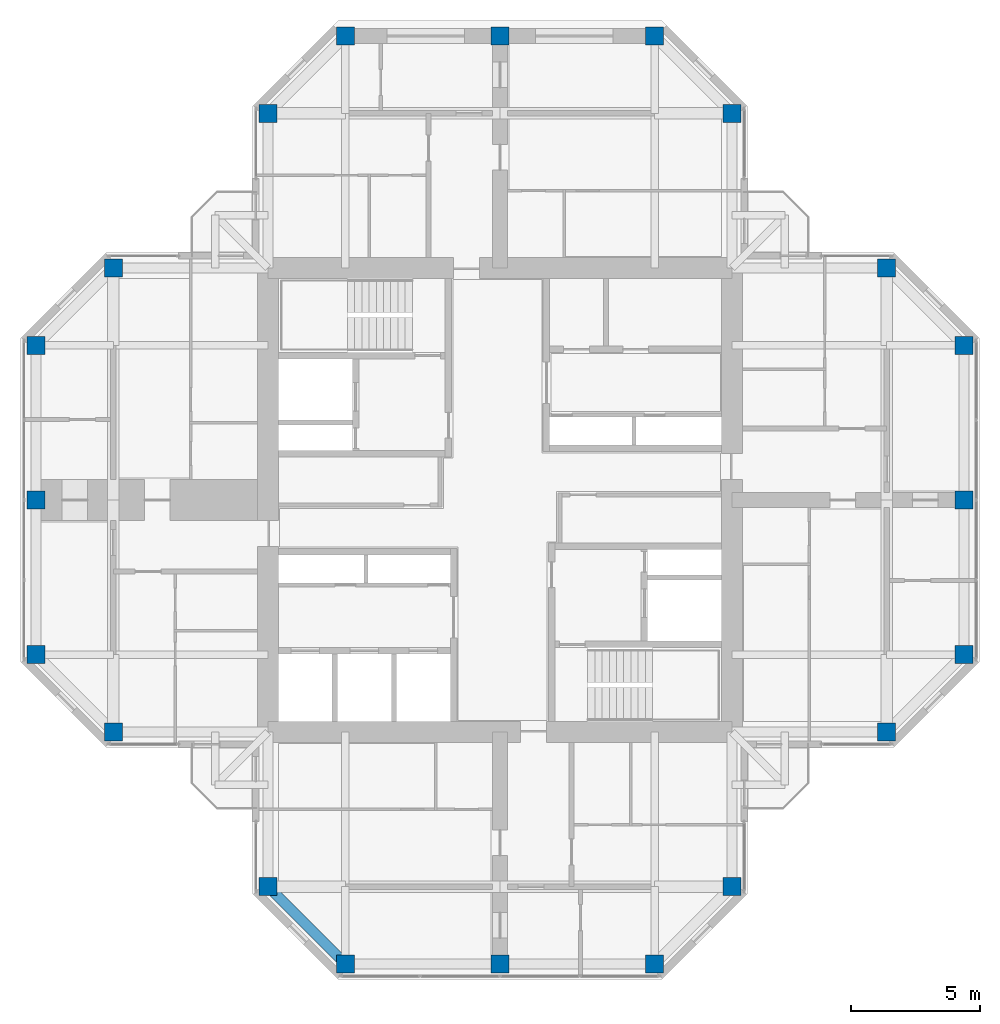
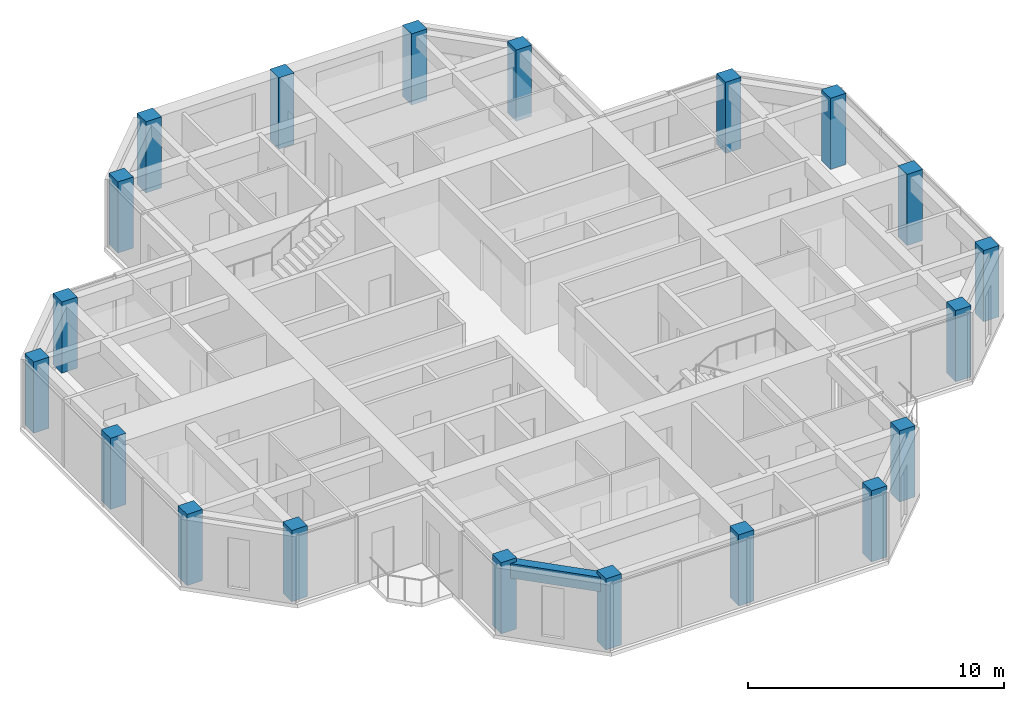
# One storey, part 1 of 13: 20 columns, 1 beam.
"""IFC4 building model written with IfcOpenShell, lengths in metres."""

from ifc_helpers import new_model, si_unit, direction, frame, origin, origin_2d, place, context, subcontext, project, spatial, rectangle, extrude, material, material_profile, profile_set, type_object, element, save


model = new_model("IFC4")

# Units and contexts
model_context = context("Model", 3, precision=1e-05, world=origin(), true_north=direction((0.0, 1.0)))
body_context = subcontext(model_context, "Body", "Model", "MODEL_VIEW")
ifc_project = project(units=[si_unit("LENGTHUNIT", "METRE"), si_unit("AREAUNIT", "SQUARE_METRE"), si_unit("VOLUMEUNIT", "CUBIC_METRE"), si_unit("PLANEANGLEUNIT", "RADIAN"), si_unit("MASSUNIT", "GRAM", prefix="KILO")], contexts=[model_context])

# Site, building, storey
site_placement = place(None, origin())
site = spatial("IfcSite", under=ifc_project, at=site_placement, CompositionType="ELEMENT")
building_placement = place(site_placement, origin())
building = spatial("IfcBuilding", under=site, at=building_placement, Name="Torre Cruceta", CompositionType="ELEMENT")
storey_placement = place(building_placement, frame((0.0, 0.0, 261.10009765625)))
storey = spatial("IfcBuildingStorey", under=building, at=storey_placement, Name="L67", CompositionType="ELEMENT", Elevation=261.10009765625)

# Columns
ifc_material_1 = material(Name="Concrete G60 (fck 60 MPa)", Category="concrete")
ifc_material_profile_1 = material_profile(ifc_material_1, rectangle(XDim=0.699951171875, YDim=0.699951171875, at=origin_2d()), Name="RC 700X700")
ifc_profile_set_1 = profile_set([ifc_material_profile_1], Name="Concrete G60 (fck 60 MPa)")
column_type = type_object("IfcColumnType", Name="COLUMN RC 700X700", PredefinedType="COLUMN", material=ifc_profile_set_1)
for number, where, z_axis, x_axis, name in (
    (1, (9.0, 15.0, 0.0), (0.0, 0.0, 1.0), (1.0, 0.0, 0.0), "C8 L67 N chamfer"),
    (2, (-9.0, 15.0, 0.0), (0.0, 0.0, 1.0), (1.0, 0.0, 0.0), "C8 L67 N chamfer"),
    (3, (6.0, 18.0, 0.0), (0.0, 0.0, 1.0), (1.0, 0.0, 0.0), "C8 L67 N tip"),
    (4, (0.0, 18.0, 0.0), (0.0, 0.0, 1.0), (1.0, 0.0, 0.0), "C8 L67 N tip"),
    (5, (-6.0, 18.0, 0.0), (0.0, 0.0, 1.0), (1.0, 0.0, 0.0), "C8 L67 N tip"),
    (6, (15.0, -9.0, 0.0), (0.0, 0.0, 1.0), (1.0, 0.0, 0.0), "C8 L67 E chamfer"),
    (7, (15.0, 9.0, 0.0), (0.0, 0.0, 1.0), (1.0, 0.0, 0.0), "C8 L67 E chamfer"),
    (8, (18.0, -6.0, 0.0), (0.0, 0.0, 1.0), (1.0, 0.0, 0.0), "C8 L67 E tip"),
    (9, (18.0, 0.0, 0.0), (0.0, 0.0, 1.0), (1.0, 0.0, 0.0), "C8 L67 E tip"),
    (10, (18.0, 6.0, 0.0), (0.0, 0.0, 1.0), (1.0, 0.0, 0.0), "C8 L67 E tip"),
    (11, (-9.0, -15.0, 0.0), (0.0, 0.0, 1.0), (1.0, 0.0, 0.0), "C8 L67 S chamfer"),
    (12, (9.0, -15.0, 0.0), (0.0, 0.0, 1.0), (1.0, 0.0, 0.0), "C8 L67 S chamfer"),
    (13, (-6.0, -18.0, 0.0), (0.0, 0.0, 1.0), (1.0, 0.0, 0.0), "C8 L67 S tip"),
    (14, (0.0, -18.0, 0.0), (0.0, 0.0, 1.0), (1.0, 0.0, 0.0), "C8 L67 S tip"),
    (15, (6.0, -18.0, 0.0), (0.0, 0.0, 1.0), (1.0, 0.0, 0.0), "C8 L67 S tip"),
    (16, (-15.0, 9.0, 0.0), (0.0, 0.0, 1.0), (1.0, 0.0, 0.0), "C8 L67 W chamfer"),
    (17, (-15.0, -9.0, 0.0), (0.0, 0.0, 1.0), (1.0, 0.0, 0.0), "C8 L67 W chamfer"),
    (18, (-18.0, 6.0, 0.0), (0.0, 0.0, 1.0), (1.0, 0.0, 0.0), "C8 L67 W tip"),
    (19, (-18.0, 0.0, 0.0), (0.0, 0.0, 1.0), (1.0, 0.0, 0.0), "C8 L67 W tip"),
    (20, (-18.0, -6.0, 0.0), (0.0, 0.0, 1.0), (1.0, 0.0, 0.0), "C8 L67 W tip"),
):
    element("IfcColumn", number, at=place(storey_placement, frame(where, z_axis=z_axis, x_axis=x_axis)), inside=storey, type_object=column_type, Name=name, PredefinedType="COLUMN", context=body_context, shape_type="SweptSolid", body=[
        extrude(rectangle(XDim=0.699951171875, YDim=0.699951171875, at=origin_2d()), origin(), (0.0, 0.0, 1.0), 3.39990234375),
    ])

# Beam
ifc_material_2 = material(Name="Concrete G60 (fck 60 MPa)", Category="concrete")
ifc_material_profile_2 = material_profile(ifc_material_2, rectangle(XDim=0.39990234375, YDim=0.699951171875, at=origin_2d()), Name="RC 400X700")
ifc_profile_set_2 = profile_set([ifc_material_profile_2], Name="Concrete G60 (fck 60 MPa)")
beam_type = type_object("IfcBeamType", Name="SPANDREL BEAM RC 400X700", PredefinedType="SPANDREL", material=ifc_profile_set_2)
beam_placement = place(storey_placement, frame((-9.0, -15.0, 2.869873046875), z_axis=(0.707106781187, -0.707106781187, 0.0), x_axis=(0.707106781187, 0.707106781187, 0.0)))
element("IfcBeam", 21, at=beam_placement, inside=storey, type_object=beam_type, Name="SB8 L67 S side- 2", PredefinedType="SPANDREL", context=body_context, shape_type="SweptSolid", body=[
    extrude(rectangle(XDim=0.39990234375, YDim=0.699951171875, at=origin_2d()), origin(), (0.0, 0.0, 1.0), 4.24267578125),
])

save(model, "model.ifc")
